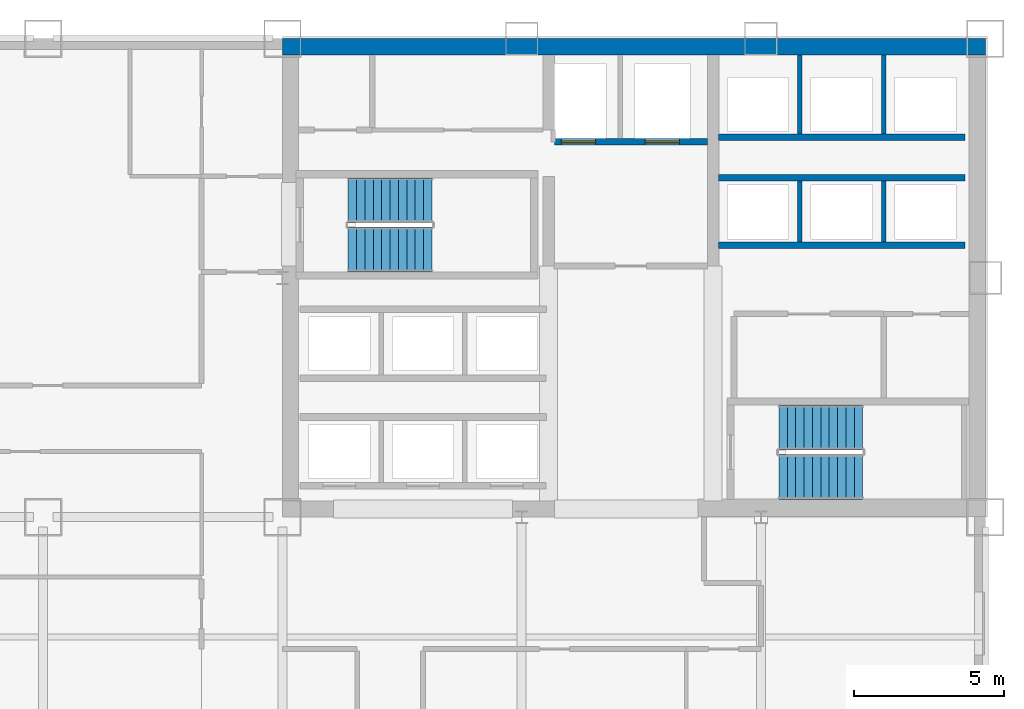
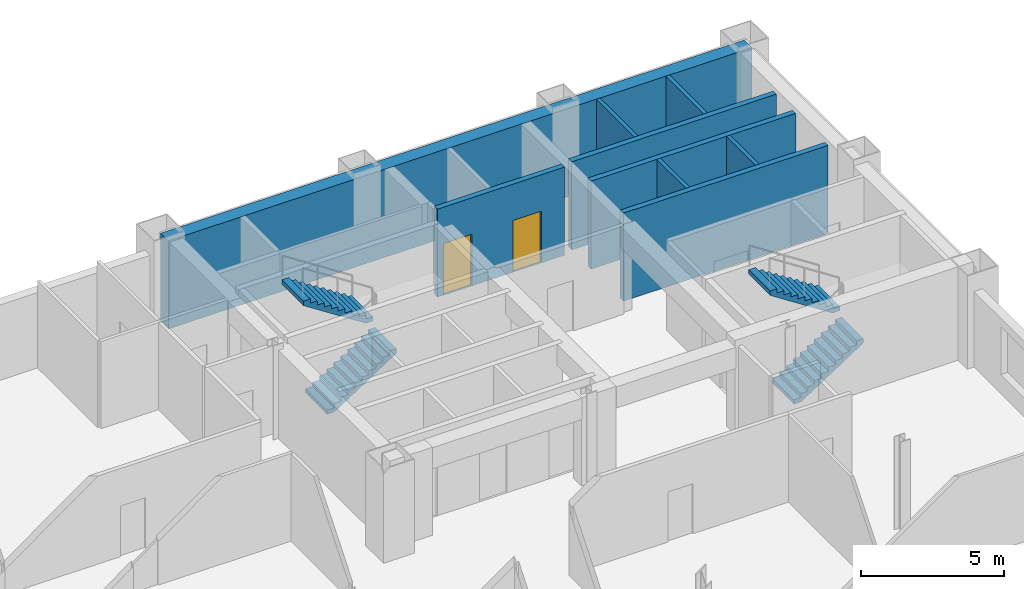
# One storey, part 7 of 9: 9 walls, 4 stair flights, 2 doors, 2 openings, 2 elements without a shape of their own.
"""IFC4 building model written with IfcOpenShell, lengths in metres."""

from ifc_helpers import new_model, si_unit, direction, frame, frame_2d, origin, place, context, subcontext, project, spatial, polyline, rectangle, outline, extrude, material, layer, layer_set, type_object, element, fill, aggregate, save


model = new_model("IFC4")

# Units and contexts
model_context = context("Model", 3, precision=1e-05, world=origin(), true_north=direction((0.0, 1.0)))
body_context = subcontext(model_context, "Body", "Model", "MODEL_VIEW")
ifc_project = project(units=[si_unit("LENGTHUNIT", "METRE"), si_unit("AREAUNIT", "SQUARE_METRE"), si_unit("VOLUMEUNIT", "CUBIC_METRE"), si_unit("PLANEANGLEUNIT", "RADIAN"), si_unit("MASSUNIT", "GRAM", prefix="KILO")], contexts=[model_context])

# Site, building, storey
site_placement = place(None, origin())
site = spatial("IfcSite", under=ifc_project, at=site_placement, CompositionType="ELEMENT")
building_placement = place(site_placement, origin())
building = spatial("IfcBuilding", under=site, at=building_placement, Name="Qianrong Seaharbour Tower", CompositionType="ELEMENT")
storey_placement = place(building_placement, frame((0.0, 0.0, 80.199951171875)))
storey = spatial("IfcBuildingStorey", under=building, at=storey_placement, Name="L19", CompositionType="ELEMENT", Elevation=80.199951171875)

# Walls
ifc_material_1 = material(Name="Concrete C70/85", Category="concrete")
ifc_layer_1 = layer(ifc_material_1, 0.5400390625)
ifc_layer_set_1 = layer_set([ifc_layer_1], Name="Concrete C70/85")
wall_type_1 = type_object("IfcWallType", Name="WALL-CORE-540", PredefinedType="SHEAR", material=ifc_layer_set_1)
wall_1_placement = place(storey_placement, frame((40.5, 51.72998046875, 0.0), z_axis=(0.0, 0.0, 1.0), x_axis=(1.0, 0.0, 0.0)))
element("IfcWall", 1, at=wall_1_placement, inside=storey, type_object=wall_type_1, Name="L19 North Core Shear Wall", PredefinedType="SHEAR", context=body_context, shape_type="SweptSolid", body=[
    extrude(rectangle(XDim=23.5, YDim=0.5400390625, at=frame_2d((11.75, 0.0))), origin(), (0.0, 0.0, 1.0), 3.75),
])
ifc_material_2 = material(Name="Fire-rated gypsum board on steel studs", Category="steel")
ifc_layer_2 = layer(ifc_material_2, 0.14990234375)
ifc_layer_set_2 = layer_set([ifc_layer_2], Name="Fire-rated gypsum board on steel studs")
wall_type_2 = type_object("IfcWallType", Name="WALL-SHAFT-DIV-150", PredefinedType="PARTITIONING", material=ifc_layer_set_2)
for number, where, z_axis, x_axis, name in (
    (2, (57.800048828125, 45.2099609375, 0.0), (0.0, 0.0, 1.0), (0.0, 1.0, 0.0), "L19 P3 Lift Hoistway Divider 2"),
    (3, (60.60009765625, 45.2099609375, 0.0), (0.0, 0.0, 1.0), (0.0, 1.0, 0.0), "L19 P3 Lift Hoistway Divider 3"),
):
    element("IfcWall", number, at=place(storey_placement, frame(where, z_axis=z_axis, x_axis=x_axis)), inside=storey, type_object=wall_type_2, Name=name, PredefinedType="PARTITIONING", context=body_context, shape_type="SweptSolid", body=[
        extrude(rectangle(XDim=2.030029296875, YDim=0.14990234375, at=frame_2d((1.01513671875, 0.0))), origin(), (0.0, 0.0, 1.0), 3.75),
    ])
for number, where, z_axis, x_axis, name in (
    (4, (57.800048828125, 48.81005859375, 0.0), (0.0, 0.0, 1.0), (0.0, 1.0, 0.0), "L19 P4 Lift Hoistway Divider 2"),
    (5, (60.60009765625, 48.81005859375, 0.0), (0.0, 0.0, 1.0), (0.0, 1.0, 0.0), "L19 P4 Lift Hoistway Divider 3"),
):
    element("IfcWall", number, at=place(storey_placement, frame(where, z_axis=z_axis, x_axis=x_axis)), inside=storey, type_object=wall_type_2, Name=name, PredefinedType="PARTITIONING", context=body_context, shape_type="SweptSolid", body=[
        extrude(rectangle(XDim=2.64990234375, YDim=0.14990234375, at=frame_2d((1.324951171875, 0.0))), origin(), (0.0, 0.0, 1.0), 3.75),
    ])

# Wall, openings, doors
ifc_layer_3 = layer(ifc_material_2, 0.219970703125)
ifc_layer_set_3 = layer_set([ifc_layer_3], Name="Fire-rated gypsum board on steel studs")
wall_type_3 = type_object("IfcWallType", Name="WALL-SHAFT-GYP220", PredefinedType="PARTITIONING", material=ifc_layer_set_3)
wall_2_placement = place(storey_placement, frame((54.7099609375, 48.550048828125, 0.0), z_axis=(0.0, 0.0, 1.0), x_axis=(-1.0, 0.0, 0.0)))
wall_2 = element("IfcWall", 6, at=wall_2_placement, inside=storey, type_object=wall_type_3, Name="L19 Firefighting Lift Shaft Front Wall", PredefinedType="PARTITIONING", context=body_context, shape_type="SweptSolid", body=[
    extrude(rectangle(XDim=5.119873046875, YDim=0.219970703125, at=frame_2d((2.56005859375, 0.0))), origin(), (0.0, 0.0, 1.0), 3.75),
])
opening_1_placement = place(wall_2_placement, frame((3.735107421875, 0.0, 0.0)))
opening_1 = element("IfcOpeningElement", 7, at=opening_1_placement, cuts=wall_2, Name="Opening LD-01", PredefinedType="OPENING", context=body_context, shape_type="SweptSolid", body=[
    extrude(rectangle(XDim=1.14990234375, YDim=2.199951171875, at=frame_2d((0.574951171875, 1.10009765625))), frame((0.0, 0.1201171875, 0.0), z_axis=(0.0, -1.0, 0.0), x_axis=(1.0, 0.0, 0.0)), (0.0, 0.0, 1.0), 0.239990234375),
])
opening_2_placement = place(wall_2_placement, frame((0.93505859375, 0.0, 0.0)))
opening_2 = element("IfcOpeningElement", 8, at=opening_2_placement, cuts=wall_2, Name="Opening LD-01", PredefinedType="OPENING", context=body_context, shape_type="SweptSolid", body=[
    extrude(rectangle(XDim=1.14990234375, YDim=2.199951171875, at=frame_2d((0.574951171875, 1.10009765625))), frame((0.0, 0.1201171875, 0.0), z_axis=(0.0, -1.0, 0.0), x_axis=(1.0, 0.0, 0.0)), (0.0, 0.0, 1.0), 0.239990234375),
])
ifc_material_3 = material(Name="Stainless steel SUS316L bi-parting lift landing door", Category="steel")
door_type = type_object("IfcDoorType", Name="DOOR-LIFT-FF-1150x2200", OperationType="DOUBLE_DOOR_SLIDING", PredefinedType="DOOR", material=ifc_material_3)
door_1_placement = place(opening_1_placement, origin())
door_1 = element("IfcDoor", 9, at=door_1_placement, inside=storey, type_object=door_type, Name="L19 FL-1 Firefighting Lift Landing Door", OperationType="DOUBLE_DOOR_SLIDING", OverallHeight=2.199951171875, OverallWidth=1.14990234375, PredefinedType="DOOR", context=body_context, shape_type="SweptSolid", body=[
    extrude(rectangle(XDim=1.14990234375, YDim=2.199951171875, at=frame_2d((0.574951171875, 1.10009765625))), frame((0.0, 0.02490234375, 0.0), z_axis=(0.0, -1.0, 0.0), x_axis=(1.0, 0.0, 0.0)), (0.0, 0.0, 1.0), 0.050048828125),
])
fill(opening_1, door_1)
door_2_placement = place(opening_2_placement, origin())
door_2 = element("IfcDoor", 10, at=door_2_placement, inside=storey, type_object=door_type, Name="L19 FL-2 Firefighting Lift Landing Door", OperationType="DOUBLE_DOOR_SLIDING", OverallHeight=2.199951171875, OverallWidth=1.14990234375, PredefinedType="DOOR", context=body_context, shape_type="SweptSolid", body=[
    extrude(rectangle(XDim=1.14990234375, YDim=2.199951171875, at=frame_2d((0.574951171875, 1.10009765625))), frame((0.0, 0.02490234375, 0.0), z_axis=(0.0, -1.0, 0.0), x_axis=(1.0, 0.0, 0.0)), (0.0, 0.0, 1.0), 0.050048828125),
])
fill(opening_2, door_2)

# Walls
for number, where, z_axis, x_axis, name in (
    (11, (63.320068359375, 45.10009765625, 0.0), (0.0, 0.0, 1.0), (-1.0, 0.0, 0.0), "L19 P3 Lift Hoistway Front Wall"),
    (12, (55.080078125, 47.35009765625, 0.0), (0.0, 0.0, 1.0), (1.0, 0.0, 0.0), "L19 P3 Lift Hoistway Back Wall"),
    (13, (63.320068359375, 48.699951171875, 0.0), (0.0, 0.0, 1.0), (-1.0, 0.0, 0.0), "L19 P4 Lift Hoistway Front Wall"),
):
    element("IfcWall", number, at=place(storey_placement, frame(where, z_axis=z_axis, x_axis=x_axis)), inside=storey, type_object=wall_type_3, Name=name, PredefinedType="PARTITIONING", context=body_context, shape_type="SweptSolid", body=[
        extrude(rectangle(XDim=8.239990234375, YDim=0.219970703125, at=frame_2d((4.1201171875, 0.0))), origin(), (0.0, 0.0, 1.0), 3.75),
    ])

# Stair, stair flights
ifc_material_4 = material(Name="Concrete C50/60", Category="concrete")
stair_type = type_object("IfcStairType", Name="STAIR-DOGLEG-1500-R22", PredefinedType="HALF_TURN_STAIR", material=ifc_material_4)
stair_1_placement = place(storey_placement, origin())
stair_1 = element("IfcStair", 14, at=stair_1_placement, inside=storey, type_object=stair_type, Name="L19 Protected Escape Stair ST-1", PredefinedType="HALF_TURN_STAIR")
stair_flight_type = type_object("IfcStairFlightType", Name="FLIGHT-STR-1500-R22", PredefinedType="STRAIGHT", material=ifc_material_4)
stair_flight_1_placement = place(storey_placement, frame((42.699951171875, 44.949951171875, 0.0), z_axis=(0.0, 0.0, 1.0), x_axis=(1.0, 0.0, 0.0)))
stair_flight_1 = element("IfcStairFlight", 15, at=stair_flight_1_placement, type_object=stair_flight_type, Name="ST-1 flight 1", NumberOfRisers=11, NumberOfTreads=10, PredefinedType="STRAIGHT", RiserHeight=0.181818182, TreadLength=0.28, context=body_context, shape_type="SweptSolid", body=[
    extrude(outline(polyline([(0.0, 0.0), (0.0, 0.181884765625), (0.280029296875, 0.181884765625), (0.280029296875, 0.363525390625), (0.56005859375, 0.363525390625), (0.56005859375, 0.54541015625), (0.840087890625, 0.54541015625), (0.840087890625, 0.727294921875), (1.1201171875, 0.727294921875), (1.1201171875, 0.9091796875), (1.39990234375, 0.9091796875), (1.39990234375, 1.0908203125), (1.679931640625, 1.0908203125), (1.679931640625, 1.272705078125), (1.9599609375, 1.272705078125), (1.9599609375, 1.45458984375), (2.239990234375, 1.45458984375), (2.239990234375, 1.636474609375), (2.52001953125, 1.636474609375), (2.52001953125, 1.818115234375), (2.800048828125, 1.818115234375), (2.800048828125, 2.0), (2.800048828125, 1.62744140625), (0.293701171875, 0.0), (0.0, 0.0)])), frame((0.0, 0.75, 0.0), z_axis=(0.0, -1.0, 0.0), x_axis=(1.0, 0.0, 0.0)), (0.0, 0.0, 1.0), 1.5),
])
stair_flight_2_placement = place(storey_placement, frame((45.5, 46.60009765625, 2.0), z_axis=(0.0, 0.0, 1.0), x_axis=(-1.0, 0.0, 0.0)))
stair_flight_2 = element("IfcStairFlight", 16, at=stair_flight_2_placement, type_object=stair_flight_type, Name="ST-1 flight 2", NumberOfRisers=11, NumberOfTreads=10, PredefinedType="STRAIGHT", RiserHeight=0.181818182, TreadLength=0.28, context=body_context, shape_type="SweptSolid", body=[
    extrude(outline(polyline([(0.0, 0.0), (0.0, 0.181884765625), (0.280029296875, 0.181884765625), (0.280029296875, 0.363525390625), (0.56005859375, 0.363525390625), (0.56005859375, 0.54541015625), (0.840087890625, 0.54541015625), (0.840087890625, 0.727294921875), (1.1201171875, 0.727294921875), (1.1201171875, 0.9091796875), (1.39990234375, 0.9091796875), (1.39990234375, 1.0908203125), (1.679931640625, 1.0908203125), (1.679931640625, 1.272705078125), (1.9599609375, 1.272705078125), (1.9599609375, 1.45458984375), (2.239990234375, 1.45458984375), (2.239990234375, 1.636474609375), (2.52001953125, 1.636474609375), (2.52001953125, 1.818115234375), (2.800048828125, 1.818115234375), (2.800048828125, 2.0), (2.800048828125, 1.62744140625), (0.293701171875, 0.0), (0.0, 0.0)])), frame((0.0, 0.75, 0.0), z_axis=(0.0, -1.0, 0.0), x_axis=(1.0, 0.0, 0.0)), (0.0, 0.0, 1.0), 1.5),
])
aggregate(stair_1, [stair_flight_1, stair_flight_2])

stair_2_placement = place(storey_placement, origin())
stair_2 = element("IfcStair", 17, at=stair_2_placement, inside=storey, type_object=stair_type, Name="L19 Protected Escape Stair ST-2", PredefinedType="HALF_TURN_STAIR")
stair_flight_3_placement = place(storey_placement, frame((57.10009765625, 37.35009765625, 0.0), z_axis=(0.0, 0.0, 1.0), x_axis=(1.0, 0.0, 0.0)))
stair_flight_3 = element("IfcStairFlight", 18, at=stair_flight_3_placement, type_object=stair_flight_type, Name="ST-2 flight 1", NumberOfRisers=11, NumberOfTreads=10, PredefinedType="STRAIGHT", RiserHeight=0.181818182, TreadLength=0.28, context=body_context, shape_type="SweptSolid", body=[
    extrude(outline(polyline([(0.0, 0.0), (0.0, 0.181884765625), (0.280029296875, 0.181884765625), (0.280029296875, 0.363525390625), (0.56005859375, 0.363525390625), (0.56005859375, 0.54541015625), (0.840087890625, 0.54541015625), (0.840087890625, 0.727294921875), (1.1201171875, 0.727294921875), (1.1201171875, 0.9091796875), (1.39990234375, 0.9091796875), (1.39990234375, 1.0908203125), (1.679931640625, 1.0908203125), (1.679931640625, 1.272705078125), (1.9599609375, 1.272705078125), (1.9599609375, 1.45458984375), (2.239990234375, 1.45458984375), (2.239990234375, 1.636474609375), (2.52001953125, 1.636474609375), (2.52001953125, 1.818115234375), (2.800048828125, 1.818115234375), (2.800048828125, 2.0), (2.800048828125, 1.62744140625), (0.293701171875, 0.0), (0.0, 0.0)])), frame((0.0, 0.75, 0.0), z_axis=(0.0, -1.0, 0.0), x_axis=(1.0, 0.0, 0.0)), (0.0, 0.0, 1.0), 1.5),
])
stair_flight_4_placement = place(storey_placement, frame((59.89990234375, 39.0, 2.0), z_axis=(0.0, 0.0, 1.0), x_axis=(-1.0, 0.0, 0.0)))
stair_flight_4 = element("IfcStairFlight", 19, at=stair_flight_4_placement, type_object=stair_flight_type, Name="ST-2 flight 2", NumberOfRisers=11, NumberOfTreads=10, PredefinedType="STRAIGHT", RiserHeight=0.181818182, TreadLength=0.28, context=body_context, shape_type="SweptSolid", body=[
    extrude(outline(polyline([(0.0, 0.0), (0.0, 0.181884765625), (0.280029296875, 0.181884765625), (0.280029296875, 0.363525390625), (0.56005859375, 0.363525390625), (0.56005859375, 0.54541015625), (0.840087890625, 0.54541015625), (0.840087890625, 0.727294921875), (1.1201171875, 0.727294921875), (1.1201171875, 0.9091796875), (1.39990234375, 0.9091796875), (1.39990234375, 1.0908203125), (1.679931640625, 1.0908203125), (1.679931640625, 1.272705078125), (1.9599609375, 1.272705078125), (1.9599609375, 1.45458984375), (2.239990234375, 1.45458984375), (2.239990234375, 1.636474609375), (2.52001953125, 1.636474609375), (2.52001953125, 1.818115234375), (2.800048828125, 1.818115234375), (2.800048828125, 2.0), (2.800048828125, 1.62744140625), (0.293701171875, 0.0), (0.0, 0.0)])), frame((0.0, 0.75, 0.0), z_axis=(0.0, -1.0, 0.0), x_axis=(1.0, 0.0, 0.0)), (0.0, 0.0, 1.0), 1.5),
])
aggregate(stair_2, [stair_flight_3, stair_flight_4])

save(model, "model.ifc")
